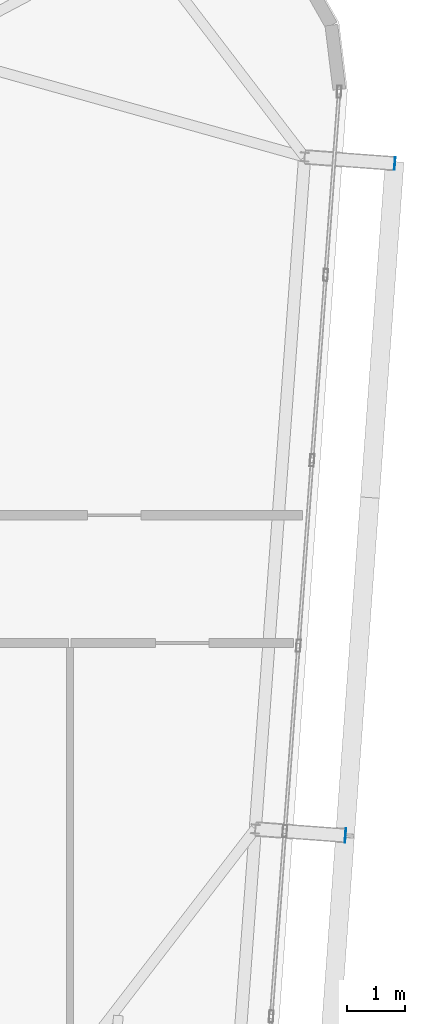
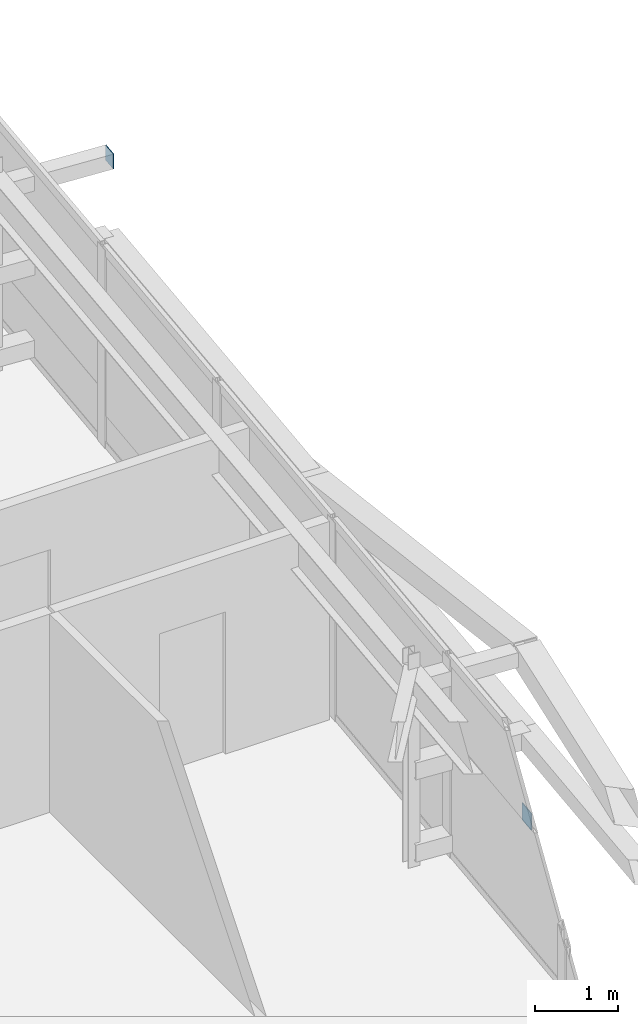
# One storey, part 35 of 42: 2 plates.
"""IFC4 building model written with IfcOpenShell, lengths in metres."""

from ifc_helpers import new_model, si_unit, direction, frame, origin, origin_2d, place, context, subcontext, project, spatial, rectangle, extrude, source, transform, mapped, material, layer, layer_set, type_object, element, save


model = new_model("IFC4")

# Units and contexts
model_context = context("Model", 3, precision=1e-05, world=origin(), true_north=direction((0.0, 1.0)))
body_context = subcontext(model_context, "Body", "Model", "MODEL_VIEW")
ifc_project = project(units=[si_unit("LENGTHUNIT", "METRE"), si_unit("AREAUNIT", "SQUARE_METRE"), si_unit("VOLUMEUNIT", "CUBIC_METRE"), si_unit("PLANEANGLEUNIT", "RADIAN"), si_unit("MASSUNIT", "GRAM", prefix="KILO")], contexts=[model_context])

# Site, building, storey
site_placement = place(None, origin())
site = spatial("IfcSite", under=ifc_project, at=site_placement, CompositionType="ELEMENT")
building_placement = place(site_placement, origin())
building = spatial("IfcBuilding", under=site, at=building_placement, Name="Taldren Reach Tower", CompositionType="ELEMENT")
storey_placement = place(building_placement, frame((0.0, 0.0, 217.699951171875)))
storey = spatial("IfcBuildingStorey", under=building, at=storey_placement, Name="L66", CompositionType="ELEMENT", Elevation=217.699951171875)

# Plates
ifc_material_1 = material(Name="Steel Gr 350 (C350L0)", Category="steel")
ifc_layer_1 = layer(ifc_material_1, 0.011962890625)
ifc_layer_set_1 = layer_set([ifc_layer_1], Name="Steel Gr 350 (C350L0)")
plate_type_1 = type_object("IfcPlateType", Name="PL-CAP-250", PredefinedType="SHEET", material=ifc_layer_set_1)
shared_shape_1 = source(origin(), body_context, "Body", "SweptSolid", [
    extrude(rectangle(XDim=0.011962890625, YDim=0.25, at=origin_2d()), origin(), (0.0, 0.0, 1.0), 0.25),
])
plate_1_placement = place(storey_placement, frame((58.2431640625, 18.48583984375, 0.094970703125), z_axis=(0.0, 0.0, 1.0), x_axis=(0.997314477224, -0.073238197128, 0.0)))
element("IfcPlate", 1, at=plate_1_placement, inside=storey, type_object=plate_type_1, Name="Tie strut end cap plate B5-E2 L66", PredefinedType="SHEET", context=body_context, shape_type="MappedRepresentation", body=[
    mapped(shared_shape_1, transform((0.0, 0.0, 0.0), scale=1.0)),
])
ifc_material_2 = material(Name="Steel Gr 450 (C450L0)", Category="steel")
ifc_layer_2 = layer(ifc_material_2, 0.011962890625)
ifc_layer_set_2 = layer_set([ifc_layer_2], Name="Steel Gr 450 (C450L0)")
plate_type_2 = type_object("IfcPlateType", Name="PL-CAP-220", PredefinedType="SHEET", material=ifc_layer_set_2)
shared_shape_2 = source(origin(), body_context, "Body", "SweptSolid", [
    extrude(rectangle(XDim=0.011962890625, YDim=0.219970703125, at=origin_2d()), origin(), (0.0, 0.0, 1.0), 0.219970703125),
])
plate_2_placement = place(storey_placement, frame((59.0927734375, 30.0546875, 2.5400390625), z_axis=(0.0, 0.0, 1.0), x_axis=(0.997314477224, -0.073238197128, 0.0)))
element("IfcPlate", 2, at=plate_2_placement, inside=storey, type_object=plate_type_2, Name="Tie strut end cap plate B5-E3 L66", PredefinedType="SHEET", context=body_context, shape_type="MappedRepresentation", body=[
    mapped(shared_shape_2, transform((0.0, 0.0, 0.0), scale=1.0)),
])

save(model, "model.ifc")
